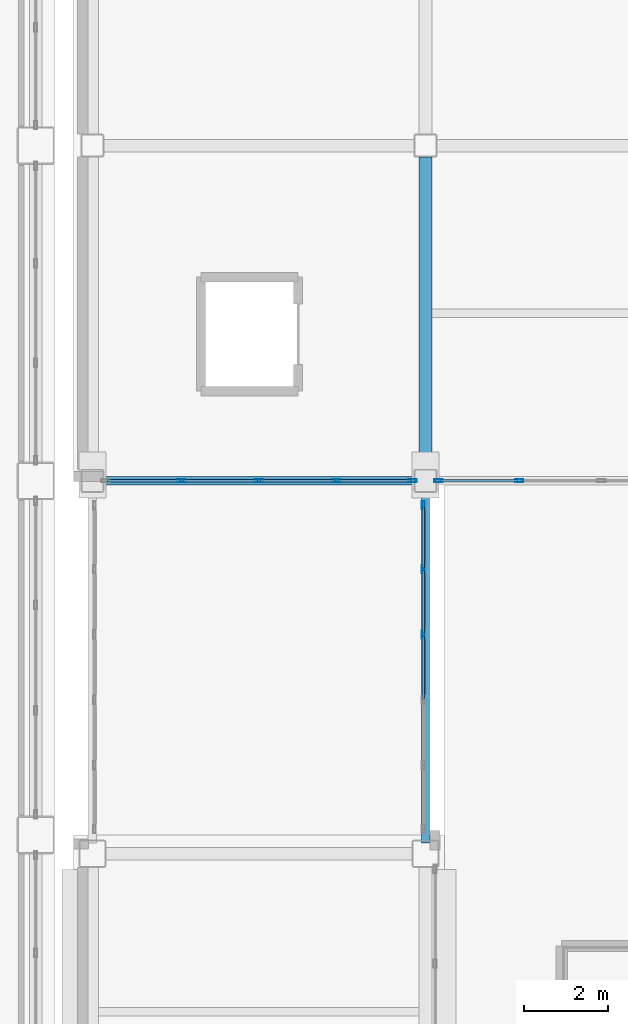
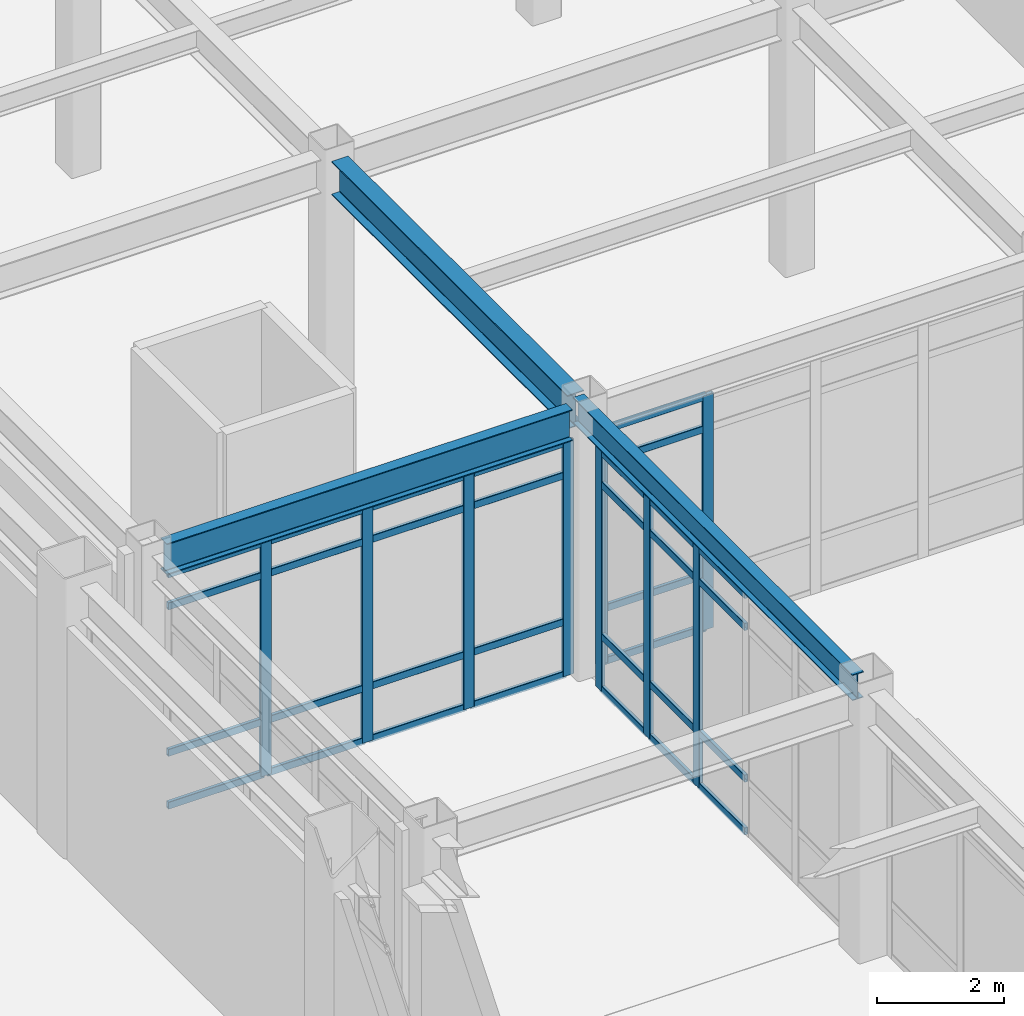
# One storey, part 71 of 165: 41 members, 3 beams, 3 elements without a shape of their own.
"""IFC4 building model written with IfcOpenShell, lengths in metres."""

from ifc_helpers import new_model, si_unit, direction, frame, origin, origin_2d, place, context, subcontext, project, spatial, hollow_rectangle, i_section, extrude, material, layer, layer_set, material_profile, profile_set, type_object, element, aggregate, save


model = new_model("IFC4")

# Units and contexts
model_context = context("Model", 3, precision=1e-05, world=origin(), true_north=direction((0.0, 1.0)))
body_context = subcontext(model_context, "Body", "Model", "MODEL_VIEW")
ifc_project = project(units=[si_unit("LENGTHUNIT", "METRE"), si_unit("AREAUNIT", "SQUARE_METRE"), si_unit("VOLUMEUNIT", "CUBIC_METRE"), si_unit("PLANEANGLEUNIT", "RADIAN"), si_unit("MASSUNIT", "GRAM", prefix="KILO")], contexts=[model_context])

# Site, building, storey
site_placement = place(None, origin())
site = spatial("IfcSite", under=ifc_project, at=site_placement, CompositionType="ELEMENT")
building_placement = place(site_placement, origin())
building = spatial("IfcBuilding", under=site, at=building_placement, Name="Kazehara Bluff Congress Hotel", CompositionType="ELEMENT")
storey_placement = place(building_placement, origin())
storey = spatial("IfcBuildingStorey", under=building, at=storey_placement, Name="L00", CompositionType="ELEMENT", Elevation=0.0)

# Curtain wall, members
ifc_material_1 = material(Name="Anodised aluminium", Category="aluminium")
ifc_layer_1 = layer(ifc_material_1, 0.159912109375)
ifc_layer_set_1 = layer_set([ifc_layer_1], Name="Anodised aluminium")
curtain_wall_type_1 = type_object("IfcCurtainWallType", Name="TP-CW-01", PredefinedType="NOTDEFINED", material=ifc_layer_set_1)
curtain_wall_1_placement = place(storey_placement, origin())
curtain_wall_1 = element("IfcCurtainWall", 1, at=curtain_wall_1_placement, inside=storey, type_object=curtain_wall_type_1, Name="L00 curtain wall CW-01 CW-BRG-34-L00-B", PredefinedType="NOTDEFINED")
ifc_material_2 = material(Name="Anodised aluminium", Category="aluminium")
ifc_material_profile_1 = material_profile(ifc_material_2, hollow_rectangle(XDim=0.070068359375, YDim=0.199951171875, WallThickness=0.0048828125, InnerFilletRadius=0.0048828125, OuterFilletRadius=0.010009765625, at=origin_2d()))
ifc_profile_set_1 = profile_set([ifc_material_profile_1], Name="Anodised aluminium")
member_type_1 = type_object("IfcMemberType", Name="TP-CWM-03", PredefinedType="MULLION", material=ifc_profile_set_1)
member_1_placement = place(storey_placement, frame((67.60009765625, 77.22998046875, 0.0), z_axis=(0.0, 0.0, 1.0), x_axis=(-1.0, 0.0, 0.0)))
member_1 = element("IfcMember", 2, at=member_1_placement, type_object=member_type_1, Name="CW-01 mullion 4", PredefinedType="MULLION", context=body_context, shape_type="SweptSolid", body=[
    extrude(hollow_rectangle(XDim=0.070068359375, YDim=0.199951171875, WallThickness=0.0048828125, InnerFilletRadius=0.0048828125, OuterFilletRadius=0.010009765625, at=origin_2d()), origin(), (0.0, 0.0, 1.0), 4.625),
])
member_2_placement = place(storey_placement, frame((67.60009765625, 78.7900390625, 0.0), z_axis=(0.0, 0.0, 1.0), x_axis=(-1.0, 0.0, 0.0)))
member_2 = element("IfcMember", 3, at=member_2_placement, type_object=member_type_1, Name="CW-01 mullion 5", PredefinedType="MULLION", context=body_context, shape_type="SweptSolid", body=[
    extrude(hollow_rectangle(XDim=0.070068359375, YDim=0.199951171875, WallThickness=0.0048828125, InnerFilletRadius=0.0048828125, OuterFilletRadius=0.010009765625, at=origin_2d()), origin(), (0.0, 0.0, 1.0), 4.625),
])
member_3_placement = place(storey_placement, frame((67.60009765625, 80.31494140625, 0.0), z_axis=(0.0, 0.0, 1.0), x_axis=(-1.0, 0.0, 0.0)))
member_3 = element("IfcMember", 4, at=member_3_placement, type_object=member_type_1, Name="CW-01 mullion 6", PredefinedType="MULLION", context=body_context, shape_type="SweptSolid", body=[
    extrude(hollow_rectangle(XDim=0.070068359375, YDim=0.199951171875, WallThickness=0.0048828125, InnerFilletRadius=0.0048828125, OuterFilletRadius=0.010009765625, at=origin_2d()), origin(), (0.0, 0.0, 1.0), 4.625),
])

ifc_material_3 = material(Name="Anodised aluminium", Category="aluminium")
ifc_layer_2 = layer(ifc_material_3, 0.159912109375)
ifc_layer_set_2 = layer_set([ifc_layer_2], Name="Anodised aluminium")
curtain_wall_type_2 = type_object("IfcCurtainWallType", Name="TP-CW-35", PredefinedType="NOTDEFINED", material=ifc_layer_set_2)
curtain_wall_2_placement = place(storey_placement, origin())
curtain_wall_2 = element("IfcCurtainWall", 5, at=curtain_wall_2_placement, inside=storey, type_object=curtain_wall_type_2, Name="L00 curtain wall CW-35 CW-V3-L00-Y8090-5998", PredefinedType="NOTDEFINED")
member_4_placement = place(storey_placement, frame((61.824951171875, 80.89990234375, 0.0), z_axis=(0.0, 0.0, 1.0), x_axis=(0.0, 1.0, 0.0)))
member_4 = element("IfcMember", 6, at=member_4_placement, type_object=member_type_1, Name="CW-35 mullion 2", PredefinedType="MULLION", context=body_context, shape_type="SweptSolid", body=[
    extrude(hollow_rectangle(XDim=0.070068359375, YDim=0.199951171875, WallThickness=0.0048828125, InnerFilletRadius=0.0048828125, OuterFilletRadius=0.010009765625, at=origin_2d()), origin(), (0.0, 0.0, 1.0), 4.52490234375),
])
member_5_placement = place(storey_placement, frame((63.675048828125, 80.89990234375, 0.0), z_axis=(0.0, 0.0, 1.0), x_axis=(0.0, 1.0, 0.0)))
member_5 = element("IfcMember", 7, at=member_5_placement, type_object=member_type_1, Name="CW-35 mullion 3", PredefinedType="MULLION", context=body_context, shape_type="SweptSolid", body=[
    extrude(hollow_rectangle(XDim=0.070068359375, YDim=0.199951171875, WallThickness=0.0048828125, InnerFilletRadius=0.0048828125, OuterFilletRadius=0.010009765625, at=origin_2d()), origin(), (0.0, 0.0, 1.0), 4.52490234375),
])
member_6_placement = place(storey_placement, frame((65.52490234375, 80.89990234375, 0.0), z_axis=(0.0, 0.0, 1.0), x_axis=(0.0, 1.0, 0.0)))
member_6 = element("IfcMember", 8, at=member_6_placement, type_object=member_type_1, Name="CW-35 mullion 4", PredefinedType="MULLION", context=body_context, shape_type="SweptSolid", body=[
    extrude(hollow_rectangle(XDim=0.070068359375, YDim=0.199951171875, WallThickness=0.0048828125, InnerFilletRadius=0.0048828125, OuterFilletRadius=0.010009765625, at=origin_2d()), origin(), (0.0, 0.0, 1.0), 4.52490234375),
])
member_7_placement = place(storey_placement, frame((67.340087890625, 80.89990234375, 0.0), z_axis=(0.0, 0.0, 1.0), x_axis=(0.0, 1.0, 0.0)))
member_7 = element("IfcMember", 9, at=member_7_placement, type_object=member_type_1, Name="CW-35 mullion 5", PredefinedType="MULLION", context=body_context, shape_type="SweptSolid", body=[
    extrude(hollow_rectangle(XDim=0.070068359375, YDim=0.199951171875, WallThickness=0.0048828125, InnerFilletRadius=0.0048828125, OuterFilletRadius=0.010009765625, at=origin_2d()), origin(), (0.0, 0.0, 1.0), 4.52490234375),
])

ifc_material_4 = material(Name="Anodised aluminium", Category="aluminium")
ifc_layer_3 = layer(ifc_material_4, 0.159912109375)
ifc_layer_set_3 = layer_set([ifc_layer_3], Name="Anodised aluminium")
curtain_wall_type_3 = type_object("IfcCurtainWallType", Name="TP-CW-36", PredefinedType="NOTDEFINED", material=ifc_layer_set_3)
curtain_wall_3_placement = place(storey_placement, origin())
curtain_wall_3 = element("IfcCurtainWall", 10, at=curtain_wall_3_placement, inside=storey, type_object=curtain_wall_type_3, Name="L00 curtain wall CW-36 CW-V3-L00-Y8090-6792", PredefinedType="NOTDEFINED")
member_8_placement = place(storey_placement, frame((67.9599609375, 80.89990234375, 0.0), z_axis=(0.0, 0.0, 1.0), x_axis=(0.0, 1.0, 0.0)))
member_8 = element("IfcMember", 11, at=member_8_placement, type_object=member_type_1, Name="CW-36 mullion 1", PredefinedType="MULLION", context=body_context, shape_type="SweptSolid", body=[
    extrude(hollow_rectangle(XDim=0.070068359375, YDim=0.199951171875, WallThickness=0.0048828125, InnerFilletRadius=0.0048828125, OuterFilletRadius=0.010009765625, at=origin_2d()), origin(), (0.0, 0.0, 1.0), 4.52490234375),
])
member_9_placement = place(storey_placement, frame((69.887451171875, 80.89990234375, 0.0), z_axis=(0.0, 0.0, 1.0), x_axis=(0.0, 1.0, 0.0)))
member_9 = element("IfcMember", 12, at=member_9_placement, type_object=member_type_1, Name="CW-36 mullion 2", PredefinedType="MULLION", context=body_context, shape_type="SweptSolid", body=[
    extrude(hollow_rectangle(XDim=0.070068359375, YDim=0.199951171875, WallThickness=0.0048828125, InnerFilletRadius=0.0048828125, OuterFilletRadius=0.010009765625, at=origin_2d()), origin(), (0.0, 0.0, 1.0), 4.52490234375),
])

# Member
ifc_material_5 = material(Name="Anodised aluminium", Category="aluminium")
ifc_material_profile_2 = material_profile(ifc_material_5, hollow_rectangle(XDim=0.06494140625, YDim=0.139892578125, WallThickness=0.00390625, InnerFilletRadius=0.00390625, OuterFilletRadius=0.008056640625, at=origin_2d()))
ifc_profile_set_2 = profile_set([ifc_material_profile_2], Name="Anodised aluminium")
member_type_2 = type_object("IfcMemberType", Name="TP-CWT-02", PredefinedType="USERDEFINED", material=ifc_profile_set_2)
member_10_placement = place(storey_placement, frame((67.60009765625, 75.705078125, 0.032470703125), z_axis=(0.0, 1.0, 0.0), x_axis=(-1.0, 0.0, 0.0)))
member_10 = element("IfcMember", 13, at=member_10_placement, type_object=member_type_2, Name="CW-01 transom 3.1", ObjectType="TRANSOM", PredefinedType="USERDEFINED", context=body_context, shape_type="SweptSolid", body=[
    extrude(hollow_rectangle(XDim=0.06494140625, YDim=0.139892578125, WallThickness=0.00390625, InnerFilletRadius=0.00390625, OuterFilletRadius=0.008056640625, at=origin_2d()), origin(), (0.0, 0.0, 1.0), 1.489990234375),
])

member_11_placement = place(storey_placement, frame((67.60009765625, 75.705078125, 1.050048828125), z_axis=(0.0, 1.0, 0.0), x_axis=(-1.0, 0.0, 0.0)))
member_11 = element("IfcMember", 14, at=member_11_placement, type_object=member_type_2, Name="CW-01 transom 3.2", ObjectType="TRANSOM", PredefinedType="USERDEFINED", context=body_context, shape_type="SweptSolid", body=[
    extrude(hollow_rectangle(XDim=0.06494140625, YDim=0.139892578125, WallThickness=0.00390625, InnerFilletRadius=0.00390625, OuterFilletRadius=0.008056640625, at=origin_2d()), origin(), (0.0, 0.0, 1.0), 1.489990234375),
])

member_12_placement = place(storey_placement, frame((67.60009765625, 75.705078125, 3.97509765625), z_axis=(0.0, 1.0, 0.0), x_axis=(-1.0, 0.0, 0.0)))
member_12 = element("IfcMember", 15, at=member_12_placement, type_object=member_type_2, Name="CW-01 transom 3.3", ObjectType="TRANSOM", PredefinedType="USERDEFINED", context=body_context, shape_type="SweptSolid", body=[
    extrude(hollow_rectangle(XDim=0.06494140625, YDim=0.139892578125, WallThickness=0.00390625, InnerFilletRadius=0.00390625, OuterFilletRadius=0.008056640625, at=origin_2d()), origin(), (0.0, 0.0, 1.0), 1.489990234375),
])

member_13_placement = place(storey_placement, frame((67.60009765625, 75.705078125, 4.592529296875), z_axis=(0.0, 1.0, 0.0), x_axis=(-1.0, 0.0, 0.0)))
member_13 = element("IfcMember", 16, at=member_13_placement, type_object=member_type_2, Name="CW-01 transom 3.4", ObjectType="TRANSOM", PredefinedType="USERDEFINED", context=body_context, shape_type="SweptSolid", body=[
    extrude(hollow_rectangle(XDim=0.06494140625, YDim=0.139892578125, WallThickness=0.00390625, InnerFilletRadius=0.00390625, OuterFilletRadius=0.008056640625, at=origin_2d()), origin(), (0.0, 0.0, 1.0), 1.489990234375),
])

member_14_placement = place(storey_placement, frame((67.60009765625, 77.264892578125, 0.032470703125), z_axis=(0.0, 1.0, 0.0), x_axis=(-1.0, 0.0, 0.0)))
member_14 = element("IfcMember", 17, at=member_14_placement, type_object=member_type_2, Name="CW-01 transom 4.1", ObjectType="TRANSOM", PredefinedType="USERDEFINED", context=body_context, shape_type="SweptSolid", body=[
    extrude(hollow_rectangle(XDim=0.06494140625, YDim=0.139892578125, WallThickness=0.00390625, InnerFilletRadius=0.00390625, OuterFilletRadius=0.008056640625, at=origin_2d()), origin(), (0.0, 0.0, 1.0), 1.489990234375),
])

member_15_placement = place(storey_placement, frame((67.60009765625, 77.264892578125, 1.050048828125), z_axis=(0.0, 1.0, 0.0), x_axis=(-1.0, 0.0, 0.0)))
member_15 = element("IfcMember", 18, at=member_15_placement, type_object=member_type_2, Name="CW-01 transom 4.2", ObjectType="TRANSOM", PredefinedType="USERDEFINED", context=body_context, shape_type="SweptSolid", body=[
    extrude(hollow_rectangle(XDim=0.06494140625, YDim=0.139892578125, WallThickness=0.00390625, InnerFilletRadius=0.00390625, OuterFilletRadius=0.008056640625, at=origin_2d()), origin(), (0.0, 0.0, 1.0), 1.489990234375),
])

member_16_placement = place(storey_placement, frame((67.60009765625, 77.264892578125, 3.97509765625), z_axis=(0.0, 1.0, 0.0), x_axis=(-1.0, 0.0, 0.0)))
member_16 = element("IfcMember", 19, at=member_16_placement, type_object=member_type_2, Name="CW-01 transom 4.3", ObjectType="TRANSOM", PredefinedType="USERDEFINED", context=body_context, shape_type="SweptSolid", body=[
    extrude(hollow_rectangle(XDim=0.06494140625, YDim=0.139892578125, WallThickness=0.00390625, InnerFilletRadius=0.00390625, OuterFilletRadius=0.008056640625, at=origin_2d()), origin(), (0.0, 0.0, 1.0), 1.489990234375),
])

member_17_placement = place(storey_placement, frame((67.60009765625, 77.264892578125, 4.592529296875), z_axis=(0.0, 1.0, 0.0), x_axis=(-1.0, 0.0, 0.0)))
member_17 = element("IfcMember", 20, at=member_17_placement, type_object=member_type_2, Name="CW-01 transom 4.4", ObjectType="TRANSOM", PredefinedType="USERDEFINED", context=body_context, shape_type="SweptSolid", body=[
    extrude(hollow_rectangle(XDim=0.06494140625, YDim=0.139892578125, WallThickness=0.00390625, InnerFilletRadius=0.00390625, OuterFilletRadius=0.008056640625, at=origin_2d()), origin(), (0.0, 0.0, 1.0), 1.489990234375),
])

member_18_placement = place(storey_placement, frame((67.60009765625, 78.824951171875, 0.032470703125), z_axis=(0.0, 1.0, 0.0), x_axis=(-1.0, 0.0, 0.0)))
member_18 = element("IfcMember", 21, at=member_18_placement, type_object=member_type_2, Name="CW-01 transom 5.1", ObjectType="TRANSOM", PredefinedType="USERDEFINED", context=body_context, shape_type="SweptSolid", body=[
    extrude(hollow_rectangle(XDim=0.06494140625, YDim=0.139892578125, WallThickness=0.00390625, InnerFilletRadius=0.00390625, OuterFilletRadius=0.008056640625, at=origin_2d()), origin(), (0.0, 0.0, 1.0), 1.455078125),
])

member_19_placement = place(storey_placement, frame((67.60009765625, 78.824951171875, 1.050048828125), z_axis=(0.0, 1.0, 0.0), x_axis=(-1.0, 0.0, 0.0)))
member_19 = element("IfcMember", 22, at=member_19_placement, type_object=member_type_2, Name="CW-01 transom 5.2", ObjectType="TRANSOM", PredefinedType="USERDEFINED", context=body_context, shape_type="SweptSolid", body=[
    extrude(hollow_rectangle(XDim=0.06494140625, YDim=0.139892578125, WallThickness=0.00390625, InnerFilletRadius=0.00390625, OuterFilletRadius=0.008056640625, at=origin_2d()), origin(), (0.0, 0.0, 1.0), 1.455078125),
])

member_20_placement = place(storey_placement, frame((67.60009765625, 78.824951171875, 3.97509765625), z_axis=(0.0, 1.0, 0.0), x_axis=(-1.0, 0.0, 0.0)))
member_20 = element("IfcMember", 23, at=member_20_placement, type_object=member_type_2, Name="CW-01 transom 5.3", ObjectType="TRANSOM", PredefinedType="USERDEFINED", context=body_context, shape_type="SweptSolid", body=[
    extrude(hollow_rectangle(XDim=0.06494140625, YDim=0.139892578125, WallThickness=0.00390625, InnerFilletRadius=0.00390625, OuterFilletRadius=0.008056640625, at=origin_2d()), origin(), (0.0, 0.0, 1.0), 1.455078125),
])

member_21_placement = place(storey_placement, frame((67.60009765625, 78.824951171875, 4.592529296875), z_axis=(0.0, 1.0, 0.0), x_axis=(-1.0, 0.0, 0.0)))
member_21 = element("IfcMember", 24, at=member_21_placement, type_object=member_type_2, Name="CW-01 transom 5.4", ObjectType="TRANSOM", PredefinedType="USERDEFINED", context=body_context, shape_type="SweptSolid", body=[
    extrude(hollow_rectangle(XDim=0.06494140625, YDim=0.139892578125, WallThickness=0.00390625, InnerFilletRadius=0.00390625, OuterFilletRadius=0.008056640625, at=origin_2d()), origin(), (0.0, 0.0, 1.0), 1.455078125),
])

aggregate(curtain_wall_1, [member_1, member_2, member_3, member_10, member_11, member_12, member_13, member_14, member_15, member_16, member_17, member_18, member_19, member_20, member_21])

member_22_placement = place(storey_placement, frame((60.044921875, 80.89990234375, 0.032470703125), z_axis=(1.0, 0.0, 0.0), x_axis=(0.0, 1.0, 0.0)))
member_22 = element("IfcMember", 25, at=member_22_placement, type_object=member_type_2, Name="CW-35 transom 1.1", ObjectType="TRANSOM", PredefinedType="USERDEFINED", context=body_context, shape_type="SweptSolid", body=[
    extrude(hollow_rectangle(XDim=0.06494140625, YDim=0.139892578125, WallThickness=0.00390625, InnerFilletRadius=0.00390625, OuterFilletRadius=0.008056640625, at=origin_2d()), origin(), (0.0, 0.0, 1.0), 1.7451171875),
])

member_23_placement = place(storey_placement, frame((60.044921875, 80.89990234375, 1.050048828125), z_axis=(1.0, 0.0, 0.0), x_axis=(0.0, 1.0, 0.0)))
member_23 = element("IfcMember", 26, at=member_23_placement, type_object=member_type_2, Name="CW-35 transom 1.2", ObjectType="TRANSOM", PredefinedType="USERDEFINED", context=body_context, shape_type="SweptSolid", body=[
    extrude(hollow_rectangle(XDim=0.06494140625, YDim=0.139892578125, WallThickness=0.00390625, InnerFilletRadius=0.00390625, OuterFilletRadius=0.008056640625, at=origin_2d()), origin(), (0.0, 0.0, 1.0), 1.7451171875),
])

member_24_placement = place(storey_placement, frame((60.044921875, 80.89990234375, 3.875), z_axis=(1.0, 0.0, 0.0), x_axis=(0.0, 1.0, 0.0)))
member_24 = element("IfcMember", 27, at=member_24_placement, type_object=member_type_2, Name="CW-35 transom 1.3", ObjectType="TRANSOM", PredefinedType="USERDEFINED", context=body_context, shape_type="SweptSolid", body=[
    extrude(hollow_rectangle(XDim=0.06494140625, YDim=0.139892578125, WallThickness=0.00390625, InnerFilletRadius=0.00390625, OuterFilletRadius=0.008056640625, at=origin_2d()), origin(), (0.0, 0.0, 1.0), 1.7451171875),
])

member_25_placement = place(storey_placement, frame((60.044921875, 80.89990234375, 4.492431640625), z_axis=(1.0, 0.0, 0.0), x_axis=(0.0, 1.0, 0.0)))
member_25 = element("IfcMember", 28, at=member_25_placement, type_object=member_type_2, Name="CW-35 transom 1.4", ObjectType="TRANSOM", PredefinedType="USERDEFINED", context=body_context, shape_type="SweptSolid", body=[
    extrude(hollow_rectangle(XDim=0.06494140625, YDim=0.139892578125, WallThickness=0.00390625, InnerFilletRadius=0.00390625, OuterFilletRadius=0.008056640625, at=origin_2d()), origin(), (0.0, 0.0, 1.0), 1.7451171875),
])

member_26_placement = place(storey_placement, frame((61.860107421875, 80.89990234375, 0.032470703125), z_axis=(1.0, 0.0, 0.0), x_axis=(0.0, 1.0, 0.0)))
member_26 = element("IfcMember", 29, at=member_26_placement, type_object=member_type_2, Name="CW-35 transom 2.1", ObjectType="TRANSOM", PredefinedType="USERDEFINED", context=body_context, shape_type="SweptSolid", body=[
    extrude(hollow_rectangle(XDim=0.06494140625, YDim=0.139892578125, WallThickness=0.00390625, InnerFilletRadius=0.00390625, OuterFilletRadius=0.008056640625, at=origin_2d()), origin(), (0.0, 0.0, 1.0), 1.77978515625),
])

member_27_placement = place(storey_placement, frame((61.860107421875, 80.89990234375, 1.050048828125), z_axis=(1.0, 0.0, 0.0), x_axis=(0.0, 1.0, 0.0)))
member_27 = element("IfcMember", 30, at=member_27_placement, type_object=member_type_2, Name="CW-35 transom 2.2", ObjectType="TRANSOM", PredefinedType="USERDEFINED", context=body_context, shape_type="SweptSolid", body=[
    extrude(hollow_rectangle(XDim=0.06494140625, YDim=0.139892578125, WallThickness=0.00390625, InnerFilletRadius=0.00390625, OuterFilletRadius=0.008056640625, at=origin_2d()), origin(), (0.0, 0.0, 1.0), 1.77978515625),
])

member_28_placement = place(storey_placement, frame((61.860107421875, 80.89990234375, 3.875), z_axis=(1.0, 0.0, 0.0), x_axis=(0.0, 1.0, 0.0)))
member_28 = element("IfcMember", 31, at=member_28_placement, type_object=member_type_2, Name="CW-35 transom 2.3", ObjectType="TRANSOM", PredefinedType="USERDEFINED", context=body_context, shape_type="SweptSolid", body=[
    extrude(hollow_rectangle(XDim=0.06494140625, YDim=0.139892578125, WallThickness=0.00390625, InnerFilletRadius=0.00390625, OuterFilletRadius=0.008056640625, at=origin_2d()), origin(), (0.0, 0.0, 1.0), 1.77978515625),
])

member_29_placement = place(storey_placement, frame((61.860107421875, 80.89990234375, 4.492431640625), z_axis=(1.0, 0.0, 0.0), x_axis=(0.0, 1.0, 0.0)))
member_29 = element("IfcMember", 32, at=member_29_placement, type_object=member_type_2, Name="CW-35 transom 2.4", ObjectType="TRANSOM", PredefinedType="USERDEFINED", context=body_context, shape_type="SweptSolid", body=[
    extrude(hollow_rectangle(XDim=0.06494140625, YDim=0.139892578125, WallThickness=0.00390625, InnerFilletRadius=0.00390625, OuterFilletRadius=0.008056640625, at=origin_2d()), origin(), (0.0, 0.0, 1.0), 1.77978515625),
])

member_30_placement = place(storey_placement, frame((63.7099609375, 80.89990234375, 0.032470703125), z_axis=(1.0, 0.0, 0.0), x_axis=(0.0, 1.0, 0.0)))
member_30 = element("IfcMember", 33, at=member_30_placement, type_object=member_type_2, Name="CW-35 transom 3.1", ObjectType="TRANSOM", PredefinedType="USERDEFINED", context=body_context, shape_type="SweptSolid", body=[
    extrude(hollow_rectangle(XDim=0.06494140625, YDim=0.139892578125, WallThickness=0.00390625, InnerFilletRadius=0.00390625, OuterFilletRadius=0.008056640625, at=origin_2d()), origin(), (0.0, 0.0, 1.0), 1.780029296875),
])

member_31_placement = place(storey_placement, frame((63.7099609375, 80.89990234375, 1.050048828125), z_axis=(1.0, 0.0, 0.0), x_axis=(0.0, 1.0, 0.0)))
member_31 = element("IfcMember", 34, at=member_31_placement, type_object=member_type_2, Name="CW-35 transom 3.2", ObjectType="TRANSOM", PredefinedType="USERDEFINED", context=body_context, shape_type="SweptSolid", body=[
    extrude(hollow_rectangle(XDim=0.06494140625, YDim=0.139892578125, WallThickness=0.00390625, InnerFilletRadius=0.00390625, OuterFilletRadius=0.008056640625, at=origin_2d()), origin(), (0.0, 0.0, 1.0), 1.780029296875),
])

member_32_placement = place(storey_placement, frame((63.7099609375, 80.89990234375, 3.875), z_axis=(1.0, 0.0, 0.0), x_axis=(0.0, 1.0, 0.0)))
member_32 = element("IfcMember", 35, at=member_32_placement, type_object=member_type_2, Name="CW-35 transom 3.3", ObjectType="TRANSOM", PredefinedType="USERDEFINED", context=body_context, shape_type="SweptSolid", body=[
    extrude(hollow_rectangle(XDim=0.06494140625, YDim=0.139892578125, WallThickness=0.00390625, InnerFilletRadius=0.00390625, OuterFilletRadius=0.008056640625, at=origin_2d()), origin(), (0.0, 0.0, 1.0), 1.780029296875),
])

member_33_placement = place(storey_placement, frame((63.7099609375, 80.89990234375, 4.492431640625), z_axis=(1.0, 0.0, 0.0), x_axis=(0.0, 1.0, 0.0)))
member_33 = element("IfcMember", 36, at=member_33_placement, type_object=member_type_2, Name="CW-35 transom 3.4", ObjectType="TRANSOM", PredefinedType="USERDEFINED", context=body_context, shape_type="SweptSolid", body=[
    extrude(hollow_rectangle(XDim=0.06494140625, YDim=0.139892578125, WallThickness=0.00390625, InnerFilletRadius=0.00390625, OuterFilletRadius=0.008056640625, at=origin_2d()), origin(), (0.0, 0.0, 1.0), 1.780029296875),
])

member_34_placement = place(storey_placement, frame((65.56005859375, 80.89990234375, 0.032470703125), z_axis=(1.0, 0.0, 0.0), x_axis=(0.0, 1.0, 0.0)))
member_34 = element("IfcMember", 37, at=member_34_placement, type_object=member_type_2, Name="CW-35 transom 4.1", ObjectType="TRANSOM", PredefinedType="USERDEFINED", context=body_context, shape_type="SweptSolid", body=[
    extrude(hollow_rectangle(XDim=0.06494140625, YDim=0.139892578125, WallThickness=0.00390625, InnerFilletRadius=0.00390625, OuterFilletRadius=0.008056640625, at=origin_2d()), origin(), (0.0, 0.0, 1.0), 1.744873046875),
])

member_35_placement = place(storey_placement, frame((65.56005859375, 80.89990234375, 1.050048828125), z_axis=(1.0, 0.0, 0.0), x_axis=(0.0, 1.0, 0.0)))
member_35 = element("IfcMember", 38, at=member_35_placement, type_object=member_type_2, Name="CW-35 transom 4.2", ObjectType="TRANSOM", PredefinedType="USERDEFINED", context=body_context, shape_type="SweptSolid", body=[
    extrude(hollow_rectangle(XDim=0.06494140625, YDim=0.139892578125, WallThickness=0.00390625, InnerFilletRadius=0.00390625, OuterFilletRadius=0.008056640625, at=origin_2d()), origin(), (0.0, 0.0, 1.0), 1.744873046875),
])

member_36_placement = place(storey_placement, frame((65.56005859375, 80.89990234375, 3.875), z_axis=(1.0, 0.0, 0.0), x_axis=(0.0, 1.0, 0.0)))
member_36 = element("IfcMember", 39, at=member_36_placement, type_object=member_type_2, Name="CW-35 transom 4.3", ObjectType="TRANSOM", PredefinedType="USERDEFINED", context=body_context, shape_type="SweptSolid", body=[
    extrude(hollow_rectangle(XDim=0.06494140625, YDim=0.139892578125, WallThickness=0.00390625, InnerFilletRadius=0.00390625, OuterFilletRadius=0.008056640625, at=origin_2d()), origin(), (0.0, 0.0, 1.0), 1.744873046875),
])

member_37_placement = place(storey_placement, frame((65.56005859375, 80.89990234375, 4.492431640625), z_axis=(1.0, 0.0, 0.0), x_axis=(0.0, 1.0, 0.0)))
member_37 = element("IfcMember", 40, at=member_37_placement, type_object=member_type_2, Name="CW-35 transom 4.4", ObjectType="TRANSOM", PredefinedType="USERDEFINED", context=body_context, shape_type="SweptSolid", body=[
    extrude(hollow_rectangle(XDim=0.06494140625, YDim=0.139892578125, WallThickness=0.00390625, InnerFilletRadius=0.00390625, OuterFilletRadius=0.008056640625, at=origin_2d()), origin(), (0.0, 0.0, 1.0), 1.744873046875),
])

aggregate(curtain_wall_2, [member_4, member_5, member_6, member_7, member_22, member_23, member_24, member_25, member_26, member_27, member_28, member_29, member_30, member_31, member_32, member_33, member_34, member_35, member_36, member_37])

member_38_placement = place(storey_placement, frame((67.9951171875, 80.89990234375, 0.032470703125), z_axis=(1.0, 0.0, 0.0), x_axis=(0.0, 1.0, 0.0)))
member_38 = element("IfcMember", 41, at=member_38_placement, type_object=member_type_2, Name="CW-36 transom 1.1", ObjectType="TRANSOM", PredefinedType="USERDEFINED", context=body_context, shape_type="SweptSolid", body=[
    extrude(hollow_rectangle(XDim=0.06494140625, YDim=0.139892578125, WallThickness=0.00390625, InnerFilletRadius=0.00390625, OuterFilletRadius=0.008056640625, at=origin_2d()), origin(), (0.0, 0.0, 1.0), 1.857421875),
])

member_39_placement = place(storey_placement, frame((67.9951171875, 80.89990234375, 1.050048828125), z_axis=(1.0, 0.0, 0.0), x_axis=(0.0, 1.0, 0.0)))
member_39 = element("IfcMember", 42, at=member_39_placement, type_object=member_type_2, Name="CW-36 transom 1.2", ObjectType="TRANSOM", PredefinedType="USERDEFINED", context=body_context, shape_type="SweptSolid", body=[
    extrude(hollow_rectangle(XDim=0.06494140625, YDim=0.139892578125, WallThickness=0.00390625, InnerFilletRadius=0.00390625, OuterFilletRadius=0.008056640625, at=origin_2d()), origin(), (0.0, 0.0, 1.0), 1.857421875),
])

member_40_placement = place(storey_placement, frame((67.9951171875, 80.89990234375, 3.875), z_axis=(1.0, 0.0, 0.0), x_axis=(0.0, 1.0, 0.0)))
member_40 = element("IfcMember", 43, at=member_40_placement, type_object=member_type_2, Name="CW-36 transom 1.3", ObjectType="TRANSOM", PredefinedType="USERDEFINED", context=body_context, shape_type="SweptSolid", body=[
    extrude(hollow_rectangle(XDim=0.06494140625, YDim=0.139892578125, WallThickness=0.00390625, InnerFilletRadius=0.00390625, OuterFilletRadius=0.008056640625, at=origin_2d()), origin(), (0.0, 0.0, 1.0), 1.857421875),
])

member_41_placement = place(storey_placement, frame((67.9951171875, 80.89990234375, 4.492431640625), z_axis=(1.0, 0.0, 0.0), x_axis=(0.0, 1.0, 0.0)))
member_41 = element("IfcMember", 44, at=member_41_placement, type_object=member_type_2, Name="CW-36 transom 1.4", ObjectType="TRANSOM", PredefinedType="USERDEFINED", context=body_context, shape_type="SweptSolid", body=[
    extrude(hollow_rectangle(XDim=0.06494140625, YDim=0.139892578125, WallThickness=0.00390625, InnerFilletRadius=0.00390625, OuterFilletRadius=0.008056640625, at=origin_2d()), origin(), (0.0, 0.0, 1.0), 1.857421875),
])

aggregate(curtain_wall_3, [member_8, member_9, member_38, member_39, member_40, member_41])

# Beams
ifc_material_6 = material(Name="Steel SN490B", Category="steel")
ifc_material_profile_3 = material_profile(ifc_material_6, i_section(OverallWidth=0.199951171875, OverallDepth=0.5, WebThickness=0.010009765625, FlangeThickness=0.01611328125, FilletRadius=0.012939453125, at=origin_2d()))
ifc_profile_set_3 = profile_set([ifc_material_profile_3], Name="Steel SN490B")
beam_type_1 = type_object("IfcBeamType", Name="TP-G-01", PredefinedType="BEAM", material=ifc_profile_set_3)
beam_1_placement = place(storey_placement, frame((67.64990234375, 72.260009765625, 4.89990234375), z_axis=(0.0, 1.0, 0.0), x_axis=(-1.0, 0.0, 0.0)))
element("IfcBeam", 45, at=beam_1_placement, inside=storey, type_object=beam_type_1, Name="Bridge edge beam BRG-34 L01-2", PredefinedType="BEAM", context=body_context, shape_type="SweptSolid", body=[
    extrude(i_section(OverallWidth=0.199951171875, OverallDepth=0.5, WebThickness=0.010009765625, FlangeThickness=0.01611328125, FilletRadius=0.012939453125, at=origin_2d()), origin(), (0.0, 0.0, 1.0), 8.830078125),
])
ifc_material_7 = material(Name="Steel SN490B", Category="steel")
ifc_material_profile_4 = material_profile(ifc_material_7, i_section(OverallWidth=0.300048828125, OverallDepth=0.64990234375, WebThickness=0.011962890625, FlangeThickness=0.02001953125, FilletRadius=0.012939453125, at=origin_2d()))
ifc_profile_set_4 = profile_set([ifc_material_profile_4], Name="Steel SN490B")
beam_type_2 = type_object("IfcBeamType", Name="TP-G-03", PredefinedType="BEAM", material=ifc_profile_set_4)
beam_2_placement = place(storey_placement, frame((67.64990234375, 81.175048828125, 4.824951171875), z_axis=(0.0, 1.0, 0.0), x_axis=(-1.0, 0.0, 0.0)))
element("IfcBeam", 46, at=beam_2_placement, inside=storey, type_object=beam_type_2, Name="L00 girder G-03 103", PredefinedType="BEAM", context=body_context, shape_type="SweptSolid", body=[
    extrude(i_section(OverallWidth=0.300048828125, OverallDepth=0.64990234375, WebThickness=0.011962890625, FlangeThickness=0.02001953125, FilletRadius=0.012939453125, at=origin_2d()), origin(), (0.0, 0.0, 1.0), 7.449951171875),
])
ifc_material_8 = material(Name="Steel SN490B", Category="steel")
ifc_material_profile_5 = material_profile(ifc_material_8, i_section(OverallWidth=0.199951171875, OverallDepth=0.60009765625, WebThickness=0.010986328125, FlangeThickness=0.01708984375, FilletRadius=0.012939453125, at=origin_2d()))
ifc_profile_set_5 = profile_set([ifc_material_profile_5], Name="Steel SN490B")
beam_type_3 = type_object("IfcBeamType", Name="TP-SP-02", PredefinedType="SPANDREL", material=ifc_profile_set_5)
beam_3_placement = place(storey_placement, frame((59.97509765625, 80.89990234375, 4.85009765625), z_axis=(1.0, 0.0, 0.0), x_axis=(0.0, 1.0, 0.0)))
element("IfcBeam", 47, at=beam_3_placement, inside=storey, type_object=beam_type_3, Name="L00 girder SP-02 123", PredefinedType="SPANDREL", context=body_context, shape_type="SweptSolid", body=[
    extrude(i_section(OverallWidth=0.199951171875, OverallDepth=0.60009765625, WebThickness=0.010986328125, FlangeThickness=0.01708984375, FilletRadius=0.012939453125, at=origin_2d()), origin(), (0.0, 0.0, 1.0), 7.39990234375),
])

save(model, "model.ifc")
